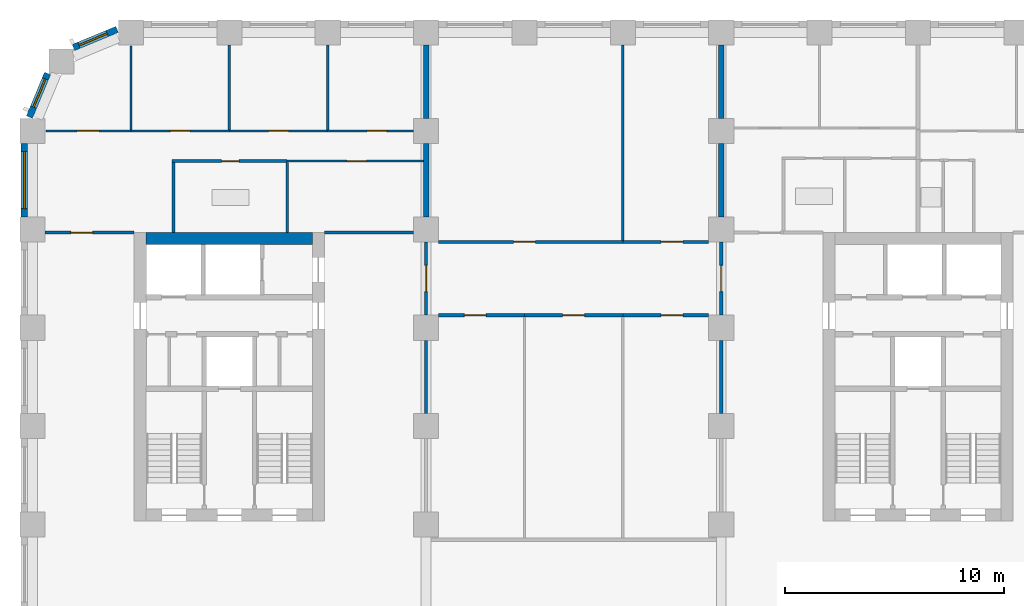
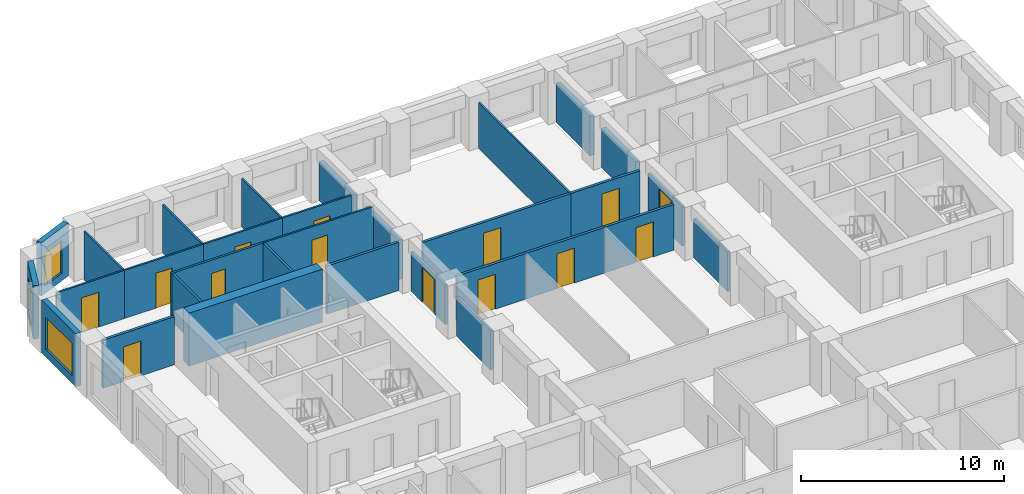
# One storey, part 7 of 13: 31 walls, 14 doors, 3 windows, 17 openings.
"""IFC4 building model written with IfcOpenShell, lengths in metres."""

from ifc_helpers import new_model, si_unit, direction, frame, frame_2d, origin, place, context, subcontext, project, spatial, rectangle, extrude, material, layer, layer_set, type_object, element, fill, save


model = new_model("IFC4")

# Units and contexts
model_context = context("Model", 3, precision=1e-05, world=origin(), true_north=direction((0.0, 1.0)))
body_context = subcontext(model_context, "Body", "Model", "MODEL_VIEW")
ifc_project = project(units=[si_unit("LENGTHUNIT", "METRE"), si_unit("AREAUNIT", "SQUARE_METRE"), si_unit("VOLUMEUNIT", "CUBIC_METRE"), si_unit("PLANEANGLEUNIT", "RADIAN"), si_unit("MASSUNIT", "GRAM", prefix="KILO")], contexts=[model_context])

# Site, building, storey
site_placement = place(None, origin())
site = spatial("IfcSite", under=ifc_project, at=site_placement, CompositionType="ELEMENT")
building_placement = place(site_placement, origin())
building = spatial("IfcBuilding", under=site, at=building_placement, Name="Girih Gate Residences", CompositionType="ELEMENT")
storey_placement = place(building_placement, frame((0.0, 0.0, 99.199951171875)))
storey = spatial("IfcBuildingStorey", under=building, at=storey_placement, Name="L27", CompositionType="ELEMENT", Elevation=99.199951171875)

# Walls
ifc_material_1 = material(Name="Gypsum board on steel studs", Category="steel")
ifc_layer_1 = layer(ifc_material_1, 0.25)
ifc_layer_set_1 = layer_set([ifc_layer_1], Name="Acoustic separating wall 250 mm")
wall_type_1 = type_object("IfcWallType", Name="Acoustic separating wall 250 mm", PredefinedType="PARTITIONING", material=ifc_layer_set_1)
for number, where, z_axis, x_axis, name in (
    (1, (18.0, 45.574951171875, 0.0), (0.0, 0.0, 1.0), (0.0, 1.0, 0.0), "L27 partition"),
    (2, (18.0, 41.074951171875, 0.0), (0.0, 0.0, 1.0), (0.0, 1.0, 0.0), "L27 partition"),
    (3, (31.5, 41.074951171875, 0.0), (0.0, 0.0, 1.0), (0.0, 1.0, 0.0), "L27 partition"),
    (4, (31.5, 45.574951171875, 0.0), (0.0, 0.0, 1.0), (0.0, 1.0, 0.0), "L27 partition"),
):
    element("IfcWall", number, at=place(storey_placement, frame(where, z_axis=z_axis, x_axis=x_axis)), inside=storey, type_object=wall_type_1, Name=name, PredefinedType="PARTITIONING", context=body_context, shape_type="SweptSolid", body=[
        extrude(rectangle(XDim=3.35009765625, YDim=0.25, at=frame_2d((1.675048828125, 0.0))), origin(), (0.0, 0.0, 1.0), 2.380126953125),
    ])

# Wall, opening, door
ifc_layer_2 = layer(ifc_material_1, 0.14990234375)
ifc_layer_set_2 = layer_set([ifc_layer_2], Name="Compartment wall 150 mm")
wall_type_2 = type_object("IfcWallType", Name="Compartment wall 150 mm", PredefinedType="PARTITIONING", material=ifc_layer_set_2)
wall_1_placement = place(storey_placement, frame((0.574951171875, 40.35009765625, 0.0), z_axis=(0.0, 0.0, 1.0), x_axis=(1.0, 0.0, 0.0)))
wall_1 = element("IfcWall", 5, at=wall_1_placement, inside=storey, type_object=wall_type_2, Name="L27 partition", PredefinedType="PARTITIONING", context=body_context, shape_type="SweptSolid", body=[
    extrude(rectangle(XDim=4.074951171875, YDim=0.14990234375, at=frame_2d((2.03759765625, 0.0))), origin(), (0.0, 0.0, 1.0), 2.900146484375),
])
opening_1_placement = place(wall_1_placement, frame((1.175048828125, 0.0, 0.0)))
opening_1 = element("IfcOpeningElement", 6, at=opening_1_placement, cuts=wall_1, Name="Opening A27-018", PredefinedType="OPENING", context=body_context, shape_type="SweptSolid", body=[
    extrude(rectangle(XDim=1.0, YDim=2.10009765625, at=frame_2d((0.5, 1.050048828125))), frame((0.0, 0.0849609375, 0.0), z_axis=(0.0, -1.0, 0.0), x_axis=(1.0, 0.0, 0.0)), (0.0, 0.0, 1.0), 0.169921875),
])
ifc_material_2 = material(Name="Timber, fire-rated core", Category="wood")
door_type_1 = type_object("IfcDoorType", Name="Flat entrance door 1000x2100 FD30S", OperationType="NOTDEFINED", PredefinedType="DOOR", material=ifc_material_2)
door_1_placement = place(opening_1_placement, origin())
door_1 = element("IfcDoor", 7, at=door_1_placement, inside=storey, type_object=door_type_1, Name="Door A27-018", OperationType="SINGLE_SWING_LEFT", OverallHeight=2.10009765625, OverallWidth=1.0, PredefinedType="DOOR", context=body_context, shape_type="SweptSolid", body=[
    extrude(rectangle(XDim=1.0, YDim=2.10009765625, at=frame_2d((0.5, 1.050048828125))), frame((0.0, 0.02490234375, 0.0), z_axis=(0.0, -1.0, 0.0), x_axis=(1.0, 0.0, 0.0)), (0.0, 0.0, 1.0), 0.050048828125),
])
fill(opening_1, door_1)

# Wall
wall_2_placement = place(storey_placement, frame((13.35009765625, 40.35009765625, 0.0), z_axis=(0.0, 0.0, 1.0), x_axis=(1.0, 0.0, 0.0)))
element("IfcWall", 8, at=wall_2_placement, inside=storey, type_object=wall_type_2, Name="L27 partition", PredefinedType="PARTITIONING", context=body_context, shape_type="SweptSolid", body=[
    extrude(rectangle(XDim=4.074951171875, YDim=0.14990234375, at=frame_2d((2.03759765625, 0.0))), origin(), (0.0, 0.0, 1.0), 2.900146484375),
])

# Wall, opening, door
wall_3_placement = place(storey_placement, frame((18.574951171875, 39.925048828125, 0.0), z_axis=(0.0, 0.0, 1.0), x_axis=(1.0, 0.0, 0.0)))
wall_3 = element("IfcWall", 9, at=wall_3_placement, inside=storey, type_object=wall_type_2, Name="L27 partition", PredefinedType="PARTITIONING", context=body_context, shape_type="SweptSolid", body=[
    extrude(rectangle(XDim=8.425048828125, YDim=0.14990234375, at=frame_2d((4.21240234375, 0.0))), origin(), (0.0, 0.0, 1.0), 2.75),
])
opening_2_placement = place(wall_3_placement, frame((3.425048828125, 0.0, 0.0)))
opening_2 = element("IfcOpeningElement", 10, at=opening_2_placement, cuts=wall_3, Name="Opening A27-039", PredefinedType="OPENING", context=body_context, shape_type="SweptSolid", body=[
    extrude(rectangle(XDim=1.0, YDim=2.10009765625, at=frame_2d((0.5, 1.050048828125))), frame((0.0, 0.0849609375, 0.0), z_axis=(0.0, -1.0, 0.0), x_axis=(1.0, 0.0, 0.0)), (0.0, 0.0, 1.0), 0.169921875),
])
door_type_2 = type_object("IfcDoorType", Name="Amenity room door 1000x2100 FD30S", OperationType="NOTDEFINED", PredefinedType="DOOR", material=ifc_material_2)
door_2_placement = place(opening_2_placement, origin())
door_2 = element("IfcDoor", 11, at=door_2_placement, inside=storey, type_object=door_type_2, Name="Door A27-039", OperationType="SINGLE_SWING_LEFT", OverallHeight=2.10009765625, OverallWidth=1.0, PredefinedType="DOOR", context=body_context, shape_type="SweptSolid", body=[
    extrude(rectangle(XDim=1.0, YDim=2.10009765625, at=frame_2d((0.5, 1.050048828125))), frame((0.0, 0.02490234375, 0.0), z_axis=(0.0, -1.0, 0.0), x_axis=(1.0, 0.0, 0.0)), (0.0, 0.0, 1.0), 0.050048828125),
])
fill(opening_2, door_2)

wall_4_placement = place(storey_placement, frame((27.0, 39.925048828125, 0.0), z_axis=(0.0, 0.0, 1.0), x_axis=(1.0, 0.0, 0.0)))
wall_4 = element("IfcWall", 12, at=wall_4_placement, inside=storey, type_object=wall_type_2, Name="L27 partition", PredefinedType="PARTITIONING", context=body_context, shape_type="SweptSolid", body=[
    extrude(rectangle(XDim=3.925048828125, YDim=0.14990234375, at=frame_2d((1.96240234375, 0.0))), origin(), (0.0, 0.0, 1.0), 2.75),
])
opening_3_placement = place(wall_4_placement, frame((1.75, 0.0, 0.0)))
opening_3 = element("IfcOpeningElement", 13, at=opening_3_placement, cuts=wall_4, Name="Opening A27-040", PredefinedType="OPENING", context=body_context, shape_type="SweptSolid", body=[
    extrude(rectangle(XDim=1.0, YDim=2.10009765625, at=frame_2d((0.5, 1.050048828125))), frame((0.0, 0.0849609375, 0.0), z_axis=(0.0, -1.0, 0.0), x_axis=(1.0, 0.0, 0.0)), (0.0, 0.0, 1.0), 0.169921875),
])
door_3_placement = place(opening_3_placement, origin())
door_3 = element("IfcDoor", 14, at=door_3_placement, inside=storey, type_object=door_type_2, Name="Door A27-040", OperationType="SINGLE_SWING_RIGHT", OverallHeight=2.10009765625, OverallWidth=1.0, PredefinedType="DOOR", context=body_context, shape_type="SweptSolid", body=[
    extrude(rectangle(XDim=1.0, YDim=2.10009765625, at=frame_2d((0.5, 1.050048828125))), frame((0.0, 0.02490234375, 0.0), z_axis=(0.0, -1.0, 0.0), x_axis=(1.0, 0.0, 0.0)), (0.0, 0.0, 1.0), 0.050048828125),
])
fill(opening_3, door_3)

wall_5_placement = place(storey_placement, frame((22.5, 36.574951171875, 0.0), z_axis=(0.0, 0.0, 1.0), x_axis=(-1.0, 0.0, 0.0)))
wall_5 = element("IfcWall", 15, at=wall_5_placement, inside=storey, type_object=wall_type_2, Name="L27 partition", PredefinedType="PARTITIONING", context=body_context, shape_type="SweptSolid", body=[
    extrude(rectangle(XDim=3.925048828125, YDim=0.14990234375, at=frame_2d((1.96240234375, 0.0))), origin(), (0.0, 0.0, 1.0), 2.75),
])
opening_4_placement = place(wall_5_placement, frame((1.75, 0.0, 0.0)))
opening_4 = element("IfcOpeningElement", 16, at=opening_4_placement, cuts=wall_5, Name="Opening A27-041", PredefinedType="OPENING", context=body_context, shape_type="SweptSolid", body=[
    extrude(rectangle(XDim=1.0, YDim=2.10009765625, at=frame_2d((0.5, 1.050048828125))), frame((0.0, 0.0849609375, 0.0), z_axis=(0.0, -1.0, 0.0), x_axis=(1.0, 0.0, 0.0)), (0.0, 0.0, 1.0), 0.169921875),
])
door_4_placement = place(opening_4_placement, origin())
door_4 = element("IfcDoor", 17, at=door_4_placement, inside=storey, type_object=door_type_2, Name="Door A27-041", OperationType="SINGLE_SWING_RIGHT", OverallHeight=2.10009765625, OverallWidth=1.0, PredefinedType="DOOR", context=body_context, shape_type="SweptSolid", body=[
    extrude(rectangle(XDim=1.0, YDim=2.10009765625, at=frame_2d((0.5, 1.050048828125))), frame((0.0, 0.02490234375, 0.0), z_axis=(0.0, -1.0, 0.0), x_axis=(1.0, 0.0, 0.0)), (0.0, 0.0, 1.0), 0.050048828125),
])
fill(opening_4, door_4)

wall_6_placement = place(storey_placement, frame((27.0, 36.574951171875, 0.0), z_axis=(0.0, 0.0, 1.0), x_axis=(-1.0, 0.0, 0.0)))
wall_6 = element("IfcWall", 18, at=wall_6_placement, inside=storey, type_object=wall_type_2, Name="L27 partition", PredefinedType="PARTITIONING", context=body_context, shape_type="SweptSolid", body=[
    extrude(rectangle(XDim=4.5, YDim=0.14990234375, at=frame_2d((2.25, 0.0))), origin(), (0.0, 0.0, 1.0), 2.75),
])
opening_5_placement = place(wall_6_placement, frame((1.75, 0.0, 0.0)))
opening_5 = element("IfcOpeningElement", 19, at=opening_5_placement, cuts=wall_6, Name="Opening A27-042", PredefinedType="OPENING", context=body_context, shape_type="SweptSolid", body=[
    extrude(rectangle(XDim=1.0, YDim=2.10009765625, at=frame_2d((0.5, 1.050048828125))), frame((0.0, 0.0849609375, 0.0), z_axis=(0.0, -1.0, 0.0), x_axis=(1.0, 0.0, 0.0)), (0.0, 0.0, 1.0), 0.169921875),
])
door_5_placement = place(opening_5_placement, origin())
door_5 = element("IfcDoor", 20, at=door_5_placement, inside=storey, type_object=door_type_2, Name="Door A27-042", OperationType="SINGLE_SWING_RIGHT", OverallHeight=2.10009765625, OverallWidth=1.0, PredefinedType="DOOR", context=body_context, shape_type="SweptSolid", body=[
    extrude(rectangle(XDim=1.0, YDim=2.10009765625, at=frame_2d((0.5, 1.050048828125))), frame((0.0, 0.02490234375, 0.0), z_axis=(0.0, -1.0, 0.0), x_axis=(1.0, 0.0, 0.0)), (0.0, 0.0, 1.0), 0.050048828125),
])
fill(opening_5, door_5)

wall_7_placement = place(storey_placement, frame((30.925048828125, 36.574951171875, 0.0), z_axis=(0.0, 0.0, 1.0), x_axis=(-1.0, 0.0, 0.0)))
wall_7 = element("IfcWall", 21, at=wall_7_placement, inside=storey, type_object=wall_type_2, Name="L27 partition", PredefinedType="PARTITIONING", context=body_context, shape_type="SweptSolid", body=[
    extrude(rectangle(XDim=3.925048828125, YDim=0.14990234375, at=frame_2d((1.96240234375, 0.0))), origin(), (0.0, 0.0, 1.0), 2.75),
])
opening_6_placement = place(wall_7_placement, frame((1.175048828125, 0.0, 0.0)))
opening_6 = element("IfcOpeningElement", 22, at=opening_6_placement, cuts=wall_7, Name="Opening A27-043", PredefinedType="OPENING", context=body_context, shape_type="SweptSolid", body=[
    extrude(rectangle(XDim=1.0, YDim=2.10009765625, at=frame_2d((0.5, 1.050048828125))), frame((0.0, 0.0849609375, 0.0), z_axis=(0.0, -1.0, 0.0), x_axis=(1.0, 0.0, 0.0)), (0.0, 0.0, 1.0), 0.169921875),
])
door_6_placement = place(opening_6_placement, origin())
door_6 = element("IfcDoor", 23, at=door_6_placement, inside=storey, type_object=door_type_2, Name="Door A27-043", OperationType="SINGLE_SWING_LEFT", OverallHeight=2.10009765625, OverallWidth=1.0, PredefinedType="DOOR", context=body_context, shape_type="SweptSolid", body=[
    extrude(rectangle(XDim=1.0, YDim=2.10009765625, at=frame_2d((0.5, 1.050048828125))), frame((0.0, 0.02490234375, 0.0), z_axis=(0.0, -1.0, 0.0), x_axis=(1.0, 0.0, 0.0)), (0.0, 0.0, 1.0), 0.050048828125),
])
fill(opening_6, door_6)

wall_8_placement = place(storey_placement, frame((31.5, 36.574951171875, 0.0), z_axis=(0.0, 0.0, 1.0), x_axis=(0.0, 1.0, 0.0)))
wall_8 = element("IfcWall", 24, at=wall_8_placement, inside=storey, type_object=wall_type_2, Name="L27 partition", PredefinedType="PARTITIONING", context=body_context, shape_type="SweptSolid", body=[
    extrude(rectangle(XDim=3.35009765625, YDim=0.14990234375, at=frame_2d((1.675048828125, 0.0))), origin(), (0.0, 0.0, 1.0), 2.380126953125),
])
opening_7_placement = place(wall_8_placement, frame((1.074951171875, 0.0, 0.0)))
opening_7 = element("IfcOpeningElement", 25, at=opening_7_placement, cuts=wall_8, Name="Opening A27-044", PredefinedType="OPENING", context=body_context, shape_type="SweptSolid", body=[
    extrude(rectangle(XDim=1.199951171875, YDim=2.10009765625, at=frame_2d((0.60009765625, 1.050048828125))), frame((0.0, 0.0849609375, 0.0), z_axis=(0.0, -1.0, 0.0), x_axis=(1.0, 0.0, 0.0)), (0.0, 0.0, 1.0), 0.169921875),
])
door_type_3 = type_object("IfcDoorType", Name="Corridor fire door 1200x2100 FD30S", OperationType="NOTDEFINED", PredefinedType="DOOR", material=ifc_material_2)
door_7_placement = place(opening_7_placement, origin())
door_7 = element("IfcDoor", 26, at=door_7_placement, inside=storey, type_object=door_type_3, Name="Door A27-044", OperationType="SINGLE_SWING_LEFT", OverallHeight=2.10009765625, OverallWidth=1.199951171875, PredefinedType="DOOR", context=body_context, shape_type="SweptSolid", body=[
    extrude(rectangle(XDim=1.199951171875, YDim=2.10009765625, at=frame_2d((0.60009765625, 1.050048828125))), frame((0.0, 0.02490234375, 0.0), z_axis=(0.0, -1.0, 0.0), x_axis=(1.0, 0.0, 0.0)), (0.0, 0.0, 1.0), 0.050048828125),
])
fill(opening_7, door_7)

wall_9_placement = place(storey_placement, frame((18.0, 39.925048828125, 0.0), z_axis=(0.0, 0.0, 1.0), x_axis=(0.0, -1.0, 0.0)))
wall_9 = element("IfcWall", 27, at=wall_9_placement, inside=storey, type_object=wall_type_2, Name="L27 partition", PredefinedType="PARTITIONING", context=body_context, shape_type="SweptSolid", body=[
    extrude(rectangle(XDim=3.35009765625, YDim=0.14990234375, at=frame_2d((1.675048828125, 0.0))), origin(), (0.0, 0.0, 1.0), 2.380126953125),
])
opening_8_placement = place(wall_9_placement, frame((1.074951171875, 0.0, 0.0)))
opening_8 = element("IfcOpeningElement", 28, at=opening_8_placement, cuts=wall_9, Name="Opening A27-045", PredefinedType="OPENING", context=body_context, shape_type="SweptSolid", body=[
    extrude(rectangle(XDim=1.199951171875, YDim=2.10009765625, at=frame_2d((0.60009765625, 1.050048828125))), frame((0.0, 0.0849609375, 0.0), z_axis=(0.0, -1.0, 0.0), x_axis=(1.0, 0.0, 0.0)), (0.0, 0.0, 1.0), 0.169921875),
])
door_8_placement = place(opening_8_placement, origin())
door_8 = element("IfcDoor", 29, at=door_8_placement, inside=storey, type_object=door_type_3, Name="Door A27-045", OperationType="SINGLE_SWING_LEFT", OverallHeight=2.10009765625, OverallWidth=1.199951171875, PredefinedType="DOOR", context=body_context, shape_type="SweptSolid", body=[
    extrude(rectangle(XDim=1.199951171875, YDim=2.10009765625, at=frame_2d((0.60009765625, 1.050048828125))), frame((0.0, 0.02490234375, 0.0), z_axis=(0.0, -1.0, 0.0), x_axis=(1.0, 0.0, 0.0)), (0.0, 0.0, 1.0), 0.050048828125),
])
fill(opening_8, door_8)

# Walls
for number, where, z_axis, x_axis, name in (
    (30, (18.0, 32.074951171875, 0.0), (0.0, 0.0, 1.0), (0.0, 1.0, 0.0), "L27 partition"),
    (31, (31.5, 32.074951171875, 0.0), (0.0, 0.0, 1.0), (0.0, 1.0, 0.0), "L27 partition"),
):
    element("IfcWall", number, at=place(storey_placement, frame(where, z_axis=z_axis, x_axis=x_axis)), inside=storey, type_object=wall_type_2, Name=name, PredefinedType="PARTITIONING", context=body_context, shape_type="SweptSolid", body=[
        extrude(rectangle(XDim=3.35009765625, YDim=0.14990234375, at=frame_2d((1.675048828125, 0.0))), origin(), (0.0, 0.0, 1.0), 2.380126953125),
    ])
ifc_material_3 = material(Name="Concrete C60/75", Category="concrete")
ifc_layer_3 = layer(ifc_material_3, 0.550048828125)
ifc_layer_set_3 = layer_set([ifc_layer_3], Name="Core wall RC 550 Concrete C60/75")
wall_type_3 = type_object("IfcWallType", Name="Core wall RC 550 Concrete C60/75", PredefinedType="SOLIDWALL", material=ifc_layer_set_3)
wall_10_placement = place(storey_placement, frame((5.199951171875, 40.074951171875, 0.0), z_axis=(0.0, 0.0, 1.0), x_axis=(1.0, 0.0, 0.0)))
element("IfcWall", 32, at=wall_10_placement, inside=storey, type_object=wall_type_3, Name="Core wall W-N L27", PredefinedType="SOLIDWALL", context=body_context, shape_type="SweptSolid", body=[
    extrude(rectangle(XDim=7.60009765625, YDim=0.550048828125, at=frame_2d((3.800048828125, 0.0))), origin(), (0.0, 0.0, 1.0), 3.199951171875),
])
ifc_layer_4 = layer(ifc_material_1, 0.10009765625)
ifc_layer_set_4 = layer_set([ifc_layer_4], Name="Partition 100 mm")
wall_type_4 = type_object("IfcWallType", Name="Partition 100 mm", PredefinedType="PARTITIONING", material=ifc_layer_set_4)
wall_11_placement = place(storey_placement, frame((9.0, 45.050048828125, 0.0), z_axis=(0.0, 0.0, 1.0), x_axis=(0.0, 1.0, 0.0)))
element("IfcWall", 33, at=wall_11_placement, inside=storey, type_object=wall_type_4, Name="L27 partition", PredefinedType="PARTITIONING", context=body_context, shape_type="SweptSolid", body=[
    extrude(rectangle(XDim=3.875, YDim=0.10009765625, at=frame_2d((1.9375, 0.0))), origin(), (0.0, 0.0, 1.0), 2.900146484375),
])

# Wall, opening, door
wall_12_placement = place(storey_placement, frame((4.5, 45.0, 0.0), z_axis=(0.0, 0.0, 1.0), x_axis=(1.0, 0.0, 0.0)))
wall_12 = element("IfcWall", 34, at=wall_12_placement, inside=storey, type_object=wall_type_4, Name="L27 partition", PredefinedType="PARTITIONING", context=body_context, shape_type="SweptSolid", body=[
    extrude(rectangle(XDim=4.5, YDim=0.10009765625, at=frame_2d((2.25, 0.0))), origin(), (0.0, 0.0, 1.0), 2.900146484375),
])
opening_9_placement = place(wall_12_placement, frame((1.800048828125, 0.0, 0.0)))
opening_9 = element("IfcOpeningElement", 35, at=opening_9_placement, cuts=wall_12, Name="Opening A27-013", PredefinedType="OPENING", context=body_context, shape_type="SweptSolid", body=[
    extrude(rectangle(XDim=0.89990234375, YDim=2.10009765625, at=frame_2d((0.449951171875, 1.050048828125))), frame((0.0, 0.06005859375, 0.0), z_axis=(0.0, -1.0, 0.0), x_axis=(1.0, 0.0, 0.0)), (0.0, 0.0, 1.0), 0.1201171875),
])
ifc_material_4 = material(Name="Timber", Category="wood")
door_type_4 = type_object("IfcDoorType", Name="Bedroom door 900x2100", OperationType="NOTDEFINED", PredefinedType="DOOR", material=ifc_material_4)
door_9_placement = place(opening_9_placement, origin())
door_9 = element("IfcDoor", 36, at=door_9_placement, inside=storey, type_object=door_type_4, Name="Door A27-013", OperationType="SINGLE_SWING_RIGHT", OverallHeight=2.10009765625, OverallWidth=0.89990234375, PredefinedType="DOOR", context=body_context, shape_type="SweptSolid", body=[
    extrude(rectangle(XDim=0.89990234375, YDim=2.10009765625, at=frame_2d((0.449951171875, 1.050048828125))), frame((0.0, 0.02490234375, 0.0), z_axis=(0.0, -1.0, 0.0), x_axis=(1.0, 0.0, 0.0)), (0.0, 0.0, 1.0), 0.050048828125),
])
fill(opening_9, door_9)

# Walls
wall_13_placement = place(storey_placement, frame((4.5, 45.050048828125, 0.0), z_axis=(0.0, 0.0, 1.0), x_axis=(0.0, 1.0, 0.0)))
element("IfcWall", 37, at=wall_13_placement, inside=storey, type_object=wall_type_4, Name="L27 partition", PredefinedType="PARTITIONING", context=body_context, shape_type="SweptSolid", body=[
    extrude(rectangle(XDim=3.82763671875, YDim=0.10009765625, at=frame_2d((1.913818359375, 0.0))), origin(), (0.0, 0.0, 1.0), 2.900146484375),
])
wall_14_placement = place(storey_placement, frame((13.5, 45.050048828125, 0.0), z_axis=(0.0, 0.0, 1.0), x_axis=(0.0, 1.0, 0.0)))
element("IfcWall", 38, at=wall_14_placement, inside=storey, type_object=wall_type_4, Name="L27 partition", PredefinedType="PARTITIONING", context=body_context, shape_type="SweptSolid", body=[
    extrude(rectangle(XDim=3.875, YDim=0.10009765625, at=frame_2d((1.9375, 0.0))), origin(), (0.0, 0.0, 1.0), 2.900146484375),
])

# Wall, opening, door
wall_15_placement = place(storey_placement, frame((9.0, 45.0, 0.0), z_axis=(0.0, 0.0, 1.0), x_axis=(1.0, 0.0, 0.0)))
wall_15 = element("IfcWall", 39, at=wall_15_placement, inside=storey, type_object=wall_type_4, Name="L27 partition", PredefinedType="PARTITIONING", context=body_context, shape_type="SweptSolid", body=[
    extrude(rectangle(XDim=4.5, YDim=0.10009765625, at=frame_2d((2.25, 0.0))), origin(), (0.0, 0.0, 1.0), 2.900146484375),
])
opening_10_placement = place(wall_15_placement, frame((1.800048828125, 0.0, 0.0)))
opening_10 = element("IfcOpeningElement", 40, at=opening_10_placement, cuts=wall_15, Name="Opening A27-014", PredefinedType="OPENING", context=body_context, shape_type="SweptSolid", body=[
    extrude(rectangle(XDim=0.89990234375, YDim=2.10009765625, at=frame_2d((0.449951171875, 1.050048828125))), frame((0.0, 0.06005859375, 0.0), z_axis=(0.0, -1.0, 0.0), x_axis=(1.0, 0.0, 0.0)), (0.0, 0.0, 1.0), 0.1201171875),
])
door_10_placement = place(opening_10_placement, origin())
door_10 = element("IfcDoor", 41, at=door_10_placement, inside=storey, type_object=door_type_4, Name="Door A27-014", OperationType="SINGLE_SWING_LEFT", OverallHeight=2.10009765625, OverallWidth=0.89990234375, PredefinedType="DOOR", context=body_context, shape_type="SweptSolid", body=[
    extrude(rectangle(XDim=0.89990234375, YDim=2.10009765625, at=frame_2d((0.449951171875, 1.050048828125))), frame((0.0, 0.02490234375, 0.0), z_axis=(0.0, -1.0, 0.0), x_axis=(1.0, 0.0, 0.0)), (0.0, 0.0, 1.0), 0.050048828125),
])
fill(opening_10, door_10)

wall_16_placement = place(storey_placement, frame((13.5, 45.0, 0.0), z_axis=(0.0, 0.0, 1.0), x_axis=(1.0, 0.0, 0.0)))
wall_16 = element("IfcWall", 42, at=wall_16_placement, inside=storey, type_object=wall_type_4, Name="L27 partition", PredefinedType="PARTITIONING", context=body_context, shape_type="SweptSolid", body=[
    extrude(rectangle(XDim=3.925048828125, YDim=0.10009765625, at=frame_2d((1.96240234375, 0.0))), origin(), (0.0, 0.0, 1.0), 2.900146484375),
])
opening_11_placement = place(wall_16_placement, frame((1.800048828125, 0.0, 0.0)))
opening_11 = element("IfcOpeningElement", 43, at=opening_11_placement, cuts=wall_16, Name="Opening A27-015", PredefinedType="OPENING", context=body_context, shape_type="SweptSolid", body=[
    extrude(rectangle(XDim=0.89990234375, YDim=2.10009765625, at=frame_2d((0.449951171875, 1.050048828125))), frame((0.0, 0.06005859375, 0.0), z_axis=(0.0, -1.0, 0.0), x_axis=(1.0, 0.0, 0.0)), (0.0, 0.0, 1.0), 0.1201171875),
])
door_11_placement = place(opening_11_placement, origin())
door_11 = element("IfcDoor", 44, at=door_11_placement, inside=storey, type_object=door_type_4, Name="Door A27-015", OperationType="SINGLE_SWING_RIGHT", OverallHeight=2.10009765625, OverallWidth=0.89990234375, PredefinedType="DOOR", context=body_context, shape_type="SweptSolid", body=[
    extrude(rectangle(XDim=0.89990234375, YDim=2.10009765625, at=frame_2d((0.449951171875, 1.050048828125))), frame((0.0, 0.02490234375, 0.0), z_axis=(0.0, -1.0, 0.0), x_axis=(1.0, 0.0, 0.0)), (0.0, 0.0, 1.0), 0.050048828125),
])
fill(opening_11, door_11)

wall_17_placement = place(storey_placement, frame((17.875, 43.6201171875, 0.0), z_axis=(0.0, 0.0, 1.0), x_axis=(-1.0, 0.0, 0.0)))
wall_17 = element("IfcWall", 45, at=wall_17_placement, inside=storey, type_object=wall_type_4, Name="L27 partition", PredefinedType="PARTITIONING", context=body_context, shape_type="SweptSolid", body=[
    extrude(rectangle(XDim=6.22998046875, YDim=0.10009765625, at=frame_2d((3.114990234375, 0.0))), origin(), (0.0, 0.0, 1.0), 2.900146484375),
])
opening_12_placement = place(wall_17_placement, frame((2.602294921875, 0.0, 0.0)))
opening_12 = element("IfcOpeningElement", 46, at=opening_12_placement, cuts=wall_17, Name="Opening A27-016", PredefinedType="OPENING", context=body_context, shape_type="SweptSolid", body=[
    extrude(rectangle(XDim=0.89990234375, YDim=2.10009765625, at=frame_2d((0.449951171875, 1.050048828125))), frame((0.0, 0.06005859375, 0.0), z_axis=(0.0, -1.0, 0.0), x_axis=(1.0, 0.0, 0.0)), (0.0, 0.0, 1.0), 0.1201171875),
])
door_type_5 = type_object("IfcDoorType", Name="Kitchen door 900x2100", OperationType="NOTDEFINED", PredefinedType="DOOR", material=ifc_material_4)
door_12_placement = place(opening_12_placement, origin())
door_12 = element("IfcDoor", 47, at=door_12_placement, inside=storey, type_object=door_type_5, Name="Door A27-016", OperationType="SINGLE_SWING_LEFT", OverallHeight=2.10009765625, OverallWidth=0.89990234375, PredefinedType="DOOR", context=body_context, shape_type="SweptSolid", body=[
    extrude(rectangle(XDim=0.89990234375, YDim=2.10009765625, at=frame_2d((0.449951171875, 1.050048828125))), frame((0.0, 0.02490234375, 0.0), z_axis=(0.0, -1.0, 0.0), x_axis=(1.0, 0.0, 0.0)), (0.0, 0.0, 1.0), 0.050048828125),
])
fill(opening_12, door_12)

wall_18_placement = place(storey_placement, frame((0.622314453125, 45.0, 0.0), z_axis=(0.0, 0.0, 1.0), x_axis=(1.0, 0.0, 0.0)))
wall_18 = element("IfcWall", 48, at=wall_18_placement, inside=storey, type_object=wall_type_4, Name="L27 partition", PredefinedType="PARTITIONING", context=body_context, shape_type="SweptSolid", body=[
    extrude(rectangle(XDim=3.877685546875, YDim=0.10009765625, at=frame_2d((1.93896484375, 0.0))), origin(), (0.0, 0.0, 1.0), 2.900146484375),
])
opening_13_placement = place(wall_18_placement, frame((1.4150390625, 0.0, 0.0)))
opening_13 = element("IfcOpeningElement", 49, at=opening_13_placement, cuts=wall_18, Name="Opening A27-017", PredefinedType="OPENING", context=body_context, shape_type="SweptSolid", body=[
    extrude(rectangle(XDim=1.0, YDim=2.10009765625, at=frame_2d((0.5, 1.050048828125))), frame((0.0, 0.06005859375, 0.0), z_axis=(0.0, -1.0, 0.0), x_axis=(1.0, 0.0, 0.0)), (0.0, 0.0, 1.0), 0.1201171875),
])
door_type_6 = type_object("IfcDoorType", Name="Living room door 1000x2100", OperationType="NOTDEFINED", PredefinedType="DOOR", material=ifc_material_4)
door_13_placement = place(opening_13_placement, origin())
door_13 = element("IfcDoor", 50, at=door_13_placement, inside=storey, type_object=door_type_6, Name="Door A27-017", OperationType="SINGLE_SWING_LEFT", OverallHeight=2.10009765625, OverallWidth=1.0, PredefinedType="DOOR", context=body_context, shape_type="SweptSolid", body=[
    extrude(rectangle(XDim=1.0, YDim=2.10009765625, at=frame_2d((0.5, 1.050048828125))), frame((0.0, 0.02490234375, 0.0), z_axis=(0.0, -1.0, 0.0), x_axis=(1.0, 0.0, 0.0)), (0.0, 0.0, 1.0), 0.050048828125),
])
fill(opening_13, door_13)

# Wall
wall_19_placement = place(storey_placement, frame((27.0, 40.0, 0.0), z_axis=(0.0, 0.0, 1.0), x_axis=(0.0, 1.0, 0.0)))
element("IfcWall", 51, at=wall_19_placement, inside=storey, type_object=wall_type_4, Name="L27 partition", PredefinedType="PARTITIONING", context=body_context, shape_type="SweptSolid", body=[
    extrude(rectangle(XDim=8.925048828125, YDim=0.10009765625, at=frame_2d((4.46240234375, 0.0))), origin(), (0.0, 0.0, 1.0), 2.75),
])

# Wall, opening, window
ifc_material_5 = material(Name="Precast concrete C50/60", Category="concrete")
ifc_layer_5 = layer(ifc_material_5, 0.080078125, Name="Outer leaf")
ifc_material_6 = material(Name="Rigid PIR insulation")
ifc_layer_6 = layer(ifc_material_6, 0.14990234375, Name="Insulation")
ifc_material_7 = material(Name="Precast concrete C40/50", Category="concrete")
ifc_layer_7 = layer(ifc_material_7, 0.070068359375, Name="Inner leaf")
ifc_layer_set_5 = layer_set([ifc_layer_5, ifc_layer_6, ifc_layer_7], Name="Precast concrete C50/60 external wall 300")
wall_type_5 = type_object("IfcWallType", Name="Precast concrete C50/60 external wall 300", PredefinedType="SOLIDWALL", material=ifc_layer_set_5)
wall_20_placement = place(storey_placement, frame((1.86865234375, 48.81591796875, 0.0), z_axis=(0.0, 0.0, 1.0), x_axis=(0.923862802911, 0.382723818695, 0.0)))
wall_20 = element("IfcWall", 52, at=wall_20_placement, inside=storey, type_object=wall_type_5, Name="External wall NW0045_0495.0", PredefinedType="SOLIDWALL", context=body_context, shape_type="SweptSolid", body=[
    extrude(rectangle(XDim=2.163818359375, YDim=0.300048828125, at=frame_2d((1.08203125, 0.0))), origin(), (0.0, 0.0, 1.0), 3.199951171875),
])
opening_14_placement = place(wall_20_placement, frame((0.270751953125, 0.0, 0.449951171875)))
opening_14 = element("IfcOpeningElement", 53, at=opening_14_placement, cuts=wall_20, Name="Opening W-2D", PredefinedType="OPENING", context=body_context, shape_type="SweptSolid", body=[
    extrude(rectangle(XDim=1.39990234375, YDim=1.949951171875, at=frame_2d((0.699951171875, 0.97509765625))), frame((0.0, 0.159912109375, 0.0), z_axis=(0.0, -1.0, 0.0), x_axis=(1.0, 0.0, 0.0)), (0.0, 0.0, 1.0), 0.320068359375),
])
ifc_material_8 = material(Name="Double glazing in aluminium frame", Category="aluminium")
window_type_1 = type_object("IfcWindowType", Name="Window W-2D 1400x1950", PartitioningType="SINGLE_PANEL", PredefinedType="WINDOW", material=ifc_material_8)
window_1_placement = place(opening_14_placement, origin())
window_1 = element("IfcWindow", 54, at=window_1_placement, inside=storey, type_object=window_type_1, Name="Window W-2D NW0045_0495.0", OverallHeight=1.949951171875, OverallWidth=1.39990234375, PartitioningType="SINGLE_PANEL", PredefinedType="WINDOW", context=body_context, shape_type="SweptSolid", body=[
    extrude(rectangle(XDim=1.39990234375, YDim=1.949951171875, at=frame_2d((0.699951171875, 0.97509765625))), frame((0.0, 0.030029296875, 0.0), z_axis=(0.0, -1.0, 0.0), x_axis=(1.0, 0.0, 0.0)), (0.0, 0.0, 1.0), 0.06005859375),
])
fill(opening_14, window_1)

wall_21_placement = place(storey_placement, frame((-0.14404296875, 45.63232421875, 0.0), z_axis=(0.0, 0.0, 1.0), x_axis=(0.382723818695, 0.923862802911, 0.0)))
wall_21 = element("IfcWall", 55, at=wall_21_placement, inside=storey, type_object=wall_type_5, Name="External wall NW0013_0482.0", PredefinedType="SOLIDWALL", context=body_context, shape_type="SweptSolid", body=[
    extrude(rectangle(XDim=2.163818359375, YDim=0.300048828125, at=frame_2d((1.08203125, 0.0))), origin(), (0.0, 0.0, 1.0), 3.199951171875),
])
opening_15_placement = place(wall_21_placement, frame((0.492919921875, 0.0, 0.449951171875)))
opening_15 = element("IfcOpeningElement", 56, at=opening_15_placement, cuts=wall_21, Name="Opening W-2D", PredefinedType="OPENING", context=body_context, shape_type="SweptSolid", body=[
    extrude(rectangle(XDim=1.39990234375, YDim=1.949951171875, at=frame_2d((0.699951171875, 0.97509765625))), frame((0.0, 0.159912109375, 0.0), z_axis=(0.0, -1.0, 0.0), x_axis=(1.0, 0.0, 0.0)), (0.0, 0.0, 1.0), 0.320068359375),
])
window_2_placement = place(opening_15_placement, origin())
window_2 = element("IfcWindow", 57, at=window_2_placement, inside=storey, type_object=window_type_1, Name="Window W-2D NW0013_0482.0", OverallHeight=1.949951171875, OverallWidth=1.39990234375, PartitioningType="SINGLE_PANEL", PredefinedType="WINDOW", context=body_context, shape_type="SweptSolid", body=[
    extrude(rectangle(XDim=1.39990234375, YDim=1.949951171875, at=frame_2d((0.699951171875, 0.97509765625))), frame((0.0, 0.030029296875, 0.0), z_axis=(0.0, -1.0, 0.0), x_axis=(1.0, 0.0, 0.0)), (0.0, 0.0, 1.0), 0.06005859375),
])
fill(opening_15, window_2)

wall_22_placement = place(storey_placement, frame((-0.375, 41.074951171875, 0.0), z_axis=(0.0, 0.0, 1.0), x_axis=(0.0, 1.0, 0.0)))
wall_22 = element("IfcWall", 58, at=wall_22_placement, inside=storey, type_object=wall_type_5, Name="External wall W0000_0450.0", PredefinedType="SOLIDWALL", context=body_context, shape_type="SweptSolid", body=[
    extrude(rectangle(XDim=3.35009765625, YDim=0.300048828125, at=frame_2d((1.675048828125, 0.0))), origin(), (0.0, 0.0, 1.0), 3.199951171875),
])
opening_16_placement = place(wall_22_placement, frame((0.375, 0.0, 0.449951171875)))
opening_16 = element("IfcOpeningElement", 59, at=opening_16_placement, cuts=wall_22, Name="Opening W-1A", PredefinedType="OPENING", context=body_context, shape_type="SweptSolid", body=[
    extrude(rectangle(XDim=2.60009765625, YDim=1.949951171875, at=frame_2d((1.300048828125, 0.97509765625))), frame((0.0, 0.159912109375, 0.0), z_axis=(0.0, -1.0, 0.0), x_axis=(1.0, 0.0, 0.0)), (0.0, 0.0, 1.0), 0.320068359375),
])
window_type_2 = type_object("IfcWindowType", Name="Window W-1A 2600x1950", PartitioningType="SINGLE_PANEL", PredefinedType="WINDOW", material=ifc_material_8)
window_3_placement = place(opening_16_placement, origin())
window_3 = element("IfcWindow", 60, at=window_3_placement, inside=storey, type_object=window_type_2, Name="Window W-1A W0000_0450.0", OverallHeight=1.949951171875, OverallWidth=2.60009765625, PartitioningType="SINGLE_PANEL", PredefinedType="WINDOW", context=body_context, shape_type="SweptSolid", body=[
    extrude(rectangle(XDim=2.60009765625, YDim=1.949951171875, at=frame_2d((1.300048828125, 0.97509765625))), frame((0.0, 0.030029296875, 0.0), z_axis=(0.0, -1.0, 0.0), x_axis=(1.0, 0.0, 0.0)), (0.0, 0.0, 1.0), 0.06005859375),
])
fill(opening_16, window_3)

# Wall
ifc_layer_8 = layer(ifc_material_1, 0.125)
ifc_layer_set_6 = layer_set([ifc_layer_8], Name="Wet room wall 125 mm")
wall_type_6 = type_object("IfcWallType", Name="Wet room wall 125 mm", PredefinedType="PARTITIONING", material=ifc_layer_set_6)
wall_23_placement = place(storey_placement, frame((6.449951171875, 40.35009765625, 0.0), z_axis=(0.0, 0.0, 1.0), x_axis=(0.0, 1.0, 0.0)))
element("IfcWall", 61, at=wall_23_placement, inside=storey, type_object=wall_type_6, Name="L27 partition", PredefinedType="PARTITIONING", context=body_context, shape_type="SweptSolid", body=[
    extrude(rectangle(XDim=3.20751953125, YDim=0.125, at=frame_2d((1.603759765625, 0.0))), origin(), (0.0, 0.0, 1.0), 2.900146484375),
])

# Wall, opening, door
wall_24_placement = place(storey_placement, frame((11.64501953125, 43.6201171875, 0.0), z_axis=(0.0, 0.0, 1.0), x_axis=(-1.0, 0.0, 0.0)))
wall_24 = element("IfcWall", 62, at=wall_24_placement, inside=storey, type_object=wall_type_6, Name="L27 partition", PredefinedType="PARTITIONING", context=body_context, shape_type="SweptSolid", body=[
    extrude(rectangle(XDim=5.257568359375, YDim=0.125, at=frame_2d((2.62890625, 0.0))), origin(), (0.0, 0.0, 1.0), 2.900146484375),
])
opening_17_placement = place(wall_24_placement, frame((2.197509765625, 0.0, 0.0)))
opening_17 = element("IfcOpeningElement", 63, at=opening_17_placement, cuts=wall_24, Name="Opening A27-012", PredefinedType="OPENING", context=body_context, shape_type="SweptSolid", body=[
    extrude(rectangle(XDim=0.800048828125, YDim=2.10009765625, at=frame_2d((0.39990234375, 1.050048828125))), frame((0.0, 0.072509765625, 0.0), z_axis=(0.0, -1.0, 0.0), x_axis=(1.0, 0.0, 0.0)), (0.0, 0.0, 1.0), 0.14501953125),
])
door_type_7 = type_object("IfcDoorType", Name="Bathroom door 800x2100", OperationType="NOTDEFINED", PredefinedType="DOOR", material=ifc_material_4)
door_14_placement = place(opening_17_placement, origin())
door_14 = element("IfcDoor", 64, at=door_14_placement, inside=storey, type_object=door_type_7, Name="Door A27-012", OperationType="SINGLE_SWING_LEFT", OverallHeight=2.10009765625, OverallWidth=0.800048828125, PredefinedType="DOOR", context=body_context, shape_type="SweptSolid", body=[
    extrude(rectangle(XDim=0.800048828125, YDim=2.10009765625, at=frame_2d((0.39990234375, 1.050048828125))), frame((0.0, 0.02490234375, 0.0), z_axis=(0.0, -1.0, 0.0), x_axis=(1.0, 0.0, 0.0)), (0.0, 0.0, 1.0), 0.050048828125),
])
fill(opening_17, door_14)

# Wall
wall_25_placement = place(storey_placement, frame((11.64501953125, 40.35009765625, 0.0), z_axis=(0.0, 0.0, 1.0), x_axis=(0.0, 1.0, 0.0)))
element("IfcWall", 65, at=wall_25_placement, inside=storey, type_object=wall_type_6, Name="L27 partition", PredefinedType="PARTITIONING", context=body_context, shape_type="SweptSolid", body=[
    extrude(rectangle(XDim=3.20751953125, YDim=0.125, at=frame_2d((1.603759765625, 0.0))), origin(), (0.0, 0.0, 1.0), 2.900146484375),
])

save(model, "model.ifc")
